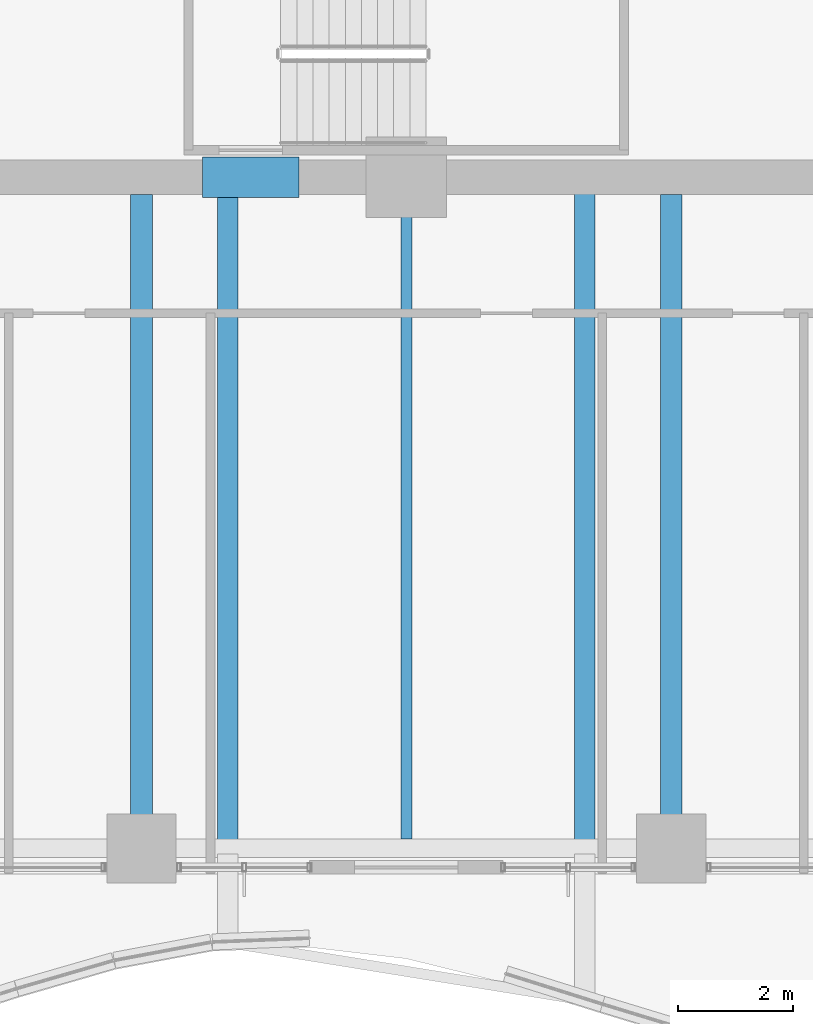
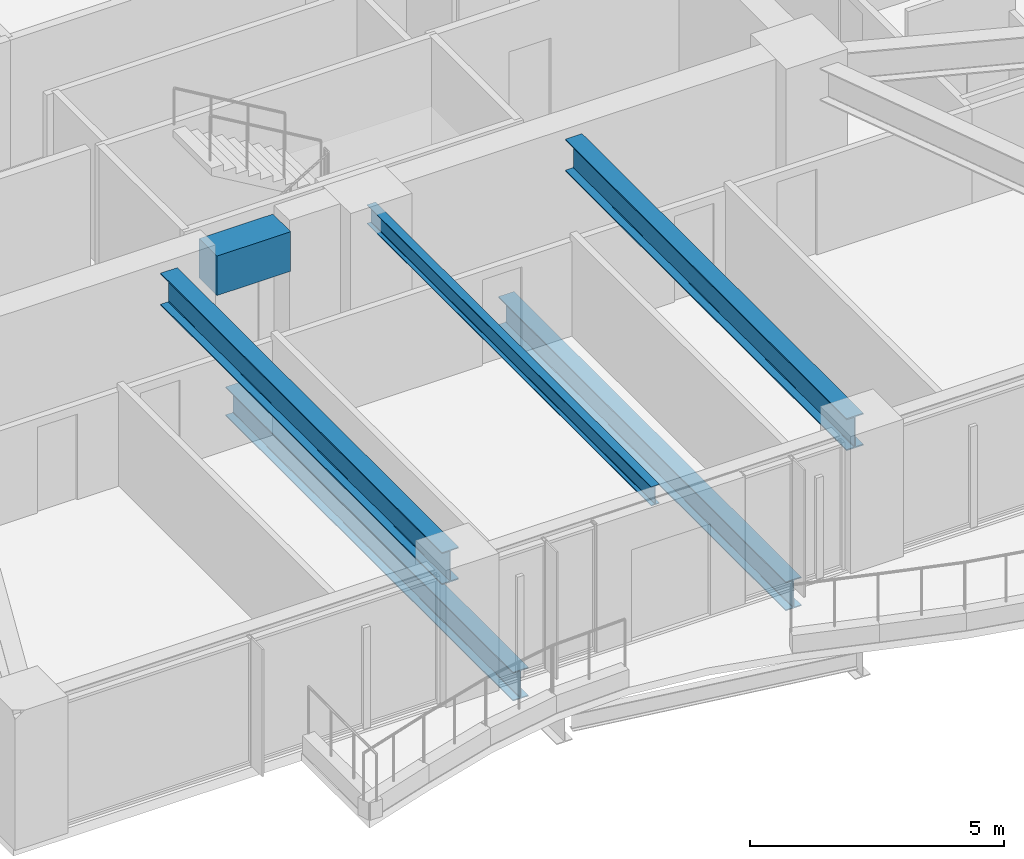
# One storey, part 7 of 38: 6 beams.
"""IFC4 building model written with IfcOpenShell, lengths in metres."""

from ifc_helpers import new_model, si_unit, direction, frame, origin, origin_2d, place, context, subcontext, project, spatial, rectangle, i_section, extrude, material, material_profile, profile_set, type_object, element, save


model = new_model("IFC4")

# Units and contexts
model_context = context("Model", 3, precision=1e-05, world=origin(), true_north=direction((0.0, 1.0)))
body_context = subcontext(model_context, "Body", "Model", "MODEL_VIEW")
ifc_project = project(units=[si_unit("LENGTHUNIT", "METRE"), si_unit("AREAUNIT", "SQUARE_METRE"), si_unit("VOLUMEUNIT", "CUBIC_METRE"), si_unit("PLANEANGLEUNIT", "RADIAN"), si_unit("MASSUNIT", "GRAM", prefix="KILO")], contexts=[model_context])

# Site, building, storey
site_placement = place(None, origin())
site = spatial("IfcSite", under=ifc_project, at=site_placement, CompositionType="ELEMENT")
building_placement = place(site_placement, origin())
building = spatial("IfcBuilding", under=site, at=building_placement, Name="Kolvaren Belvedere", CompositionType="ELEMENT")
storey_placement = place(building_placement, frame((0.0, 0.0, 27.10009765625)))
storey = spatial("IfcBuildingStorey", under=building, at=storey_placement, Name="L07", CompositionType="ELEMENT", Elevation=27.10009765625)

# Beams
ifc_material_1 = material(Name="Structural steel ASTM A992 Grade 50", Category="steel")
ifc_material_profile_1 = material_profile(ifc_material_1, i_section(OverallWidth=0.35498046875, OverallDepth=0.696044921875, WebThickness=0.015380859375, FlangeThickness=0.02490234375, FilletRadius=0.02197265625, at=origin_2d()), Name="W27X146")
ifc_profile_set_1 = profile_set([ifc_material_profile_1], Name="Structural steel ASTM A992 Grade 50")
beam_type_1 = type_object("IfcBeamType", Name="BM-GIRD-W27X146", PredefinedType="BEAM", material=ifc_profile_set_1)
for number, where, z_axis, x_axis, name in (
    (1, (-3.10009765625, -10.139892578125, -0.588134765625), (0.0, -1.0, 0.0), (1.0, 0.0, 0.0), "L07 Balcony Interior Back-Span Girder BAL-S-1"),
    (2, (3.10009765625, -10.139892578125, -0.588134765625), (0.0, -1.0, 0.0), (1.0, 0.0, 0.0), "L07 Balcony Interior Back-Span Girder BAL-S-2"),
):
    element("IfcBeam", number, at=place(storey_placement, frame(where, z_axis=z_axis, x_axis=x_axis)), inside=storey, type_object=beam_type_1, Name=name, PredefinedType="BEAM", context=body_context, shape_type="SweptSolid", body=[
        extrude(i_section(OverallWidth=0.35498046875, OverallDepth=0.696044921875, WebThickness=0.015380859375, FlangeThickness=0.02490234375, FilletRadius=0.02197265625, at=origin_2d()), origin(), (0.0, 0.0, 1.0), 11.315185546875),
    ])
ifc_material_2 = material(Name="Structural steel ASTM A992 Grade 50", Category="steel")
ifc_material_profile_2 = material_profile(ifc_material_2, i_section(OverallWidth=0.381103515625, OverallDepth=0.77294921875, WebThickness=0.0166015625, FlangeThickness=0.027099609375, FilletRadius=0.02392578125, at=origin_2d()), Name="W30X173")
ifc_profile_set_2 = profile_set([ifc_material_profile_2], Name="Structural steel ASTM A992 Grade 50")
beam_type_2 = type_object("IfcBeamType", Name="BM-GIRD-W30X173", PredefinedType="BEAM", material=ifc_profile_set_2)
for number, where, z_axis, x_axis, name in (
    (3, (4.60009765625, -10.199951171875, 2.67333984375), (0.0, -1.0, 0.0), (1.0, 0.0, 0.0), "L07 South Radial Girder P"),
    (4, (-4.60009765625, -10.199951171875, 2.67333984375), (0.0, -1.0, 0.0), (1.0, 0.0, 0.0), "L07 South Radial Girder M"),
):
    element("IfcBeam", number, at=place(storey_placement, frame(where, z_axis=z_axis, x_axis=x_axis)), inside=storey, type_object=beam_type_2, Name=name, PredefinedType="BEAM", context=body_context, shape_type="SweptSolid", body=[
        extrude(i_section(OverallWidth=0.381103515625, OverallDepth=0.77294921875, WebThickness=0.0166015625, FlangeThickness=0.027099609375, FilletRadius=0.02392578125, at=origin_2d()), origin(), (0.0, 0.0, 1.0), 11.080078125),
    ])
ifc_material_3 = material(Name="Structural steel ASTM A992 Grade 50", Category="steel")
ifc_material_profile_3 = material_profile(ifc_material_3, i_section(OverallWidth=0.19091796875, OverallDepth=0.4599609375, WebThickness=0.010009765625, FlangeThickness=0.01611328125, FilletRadius=0.014892578125, at=origin_2d()), Name="W18X55")
ifc_profile_set_3 = profile_set([ifc_material_profile_3], Name="Structural steel ASTM A992 Grade 50")
beam_type_3 = type_object("IfcBeamType", Name="BM-JOIST-W18X55", PredefinedType="BEAM", material=ifc_profile_set_3)
beam_1_placement = place(storey_placement, frame((0.0, -10.199951171875, 2.829833984375), z_axis=(0.0, -1.0, 0.0), x_axis=(1.0, 0.0, 0.0)))
element("IfcBeam", 5, at=beam_1_placement, inside=storey, type_object=beam_type_3, Name="L07 South Centre Floor Beam", PredefinedType="BEAM", context=body_context, shape_type="SweptSolid", body=[
    extrude(i_section(OverallWidth=0.19091796875, OverallDepth=0.4599609375, WebThickness=0.010009765625, FlangeThickness=0.01611328125, FilletRadius=0.014892578125, at=origin_2d()), origin(), (0.0, 0.0, 1.0), 11.1875),
])
ifc_material_4 = material(Name="Concrete C60/75", Category="concrete")
ifc_material_profile_4 = material_profile(ifc_material_4, rectangle(XDim=0.699951171875, YDim=0.949951171875, at=origin_2d()), Name="RC 700X950")
ifc_profile_set_4 = profile_set([ifc_material_profile_4], Name="Concrete C60/75")
beam_type_4 = type_object("IfcBeamType", Name="BM-LINT-950", PredefinedType="LINTEL", material=ifc_profile_set_4)
beam_2_placement = place(storey_placement, frame((-3.5400390625, -9.89990234375, 2.5849609375), z_axis=(1.0, 0.0, 0.0), x_axis=(0.0, 1.0, 0.0)))
element("IfcBeam", 6, at=beam_2_placement, inside=storey, type_object=beam_type_4, Name="L07 South Core Coupling Lintel", PredefinedType="LINTEL", context=body_context, shape_type="SweptSolid", body=[
    extrude(rectangle(XDim=0.699951171875, YDim=0.949951171875, at=origin_2d()), origin(), (0.0, 0.0, 1.0), 1.679931640625),
])

save(model, "model.ifc")
